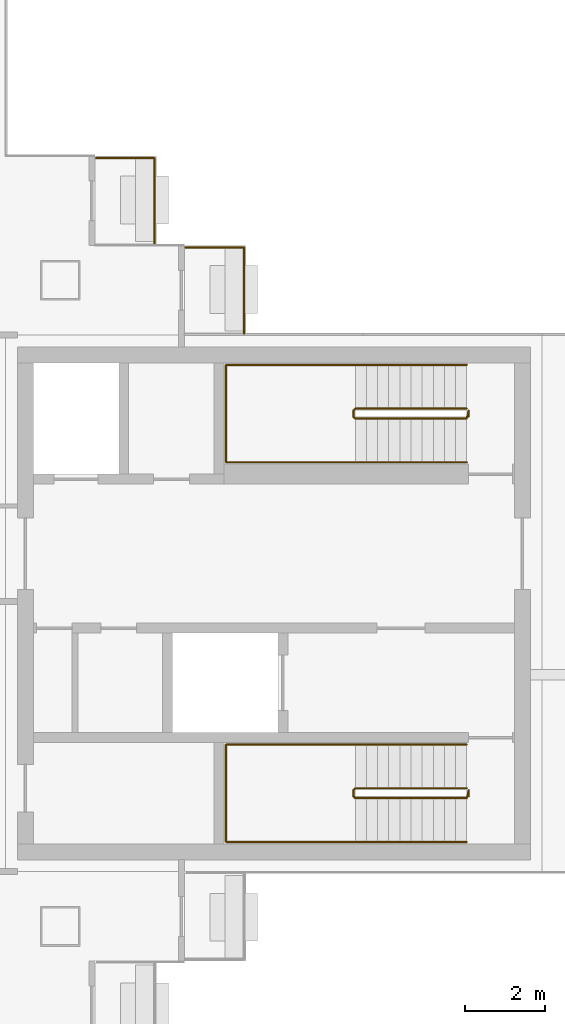
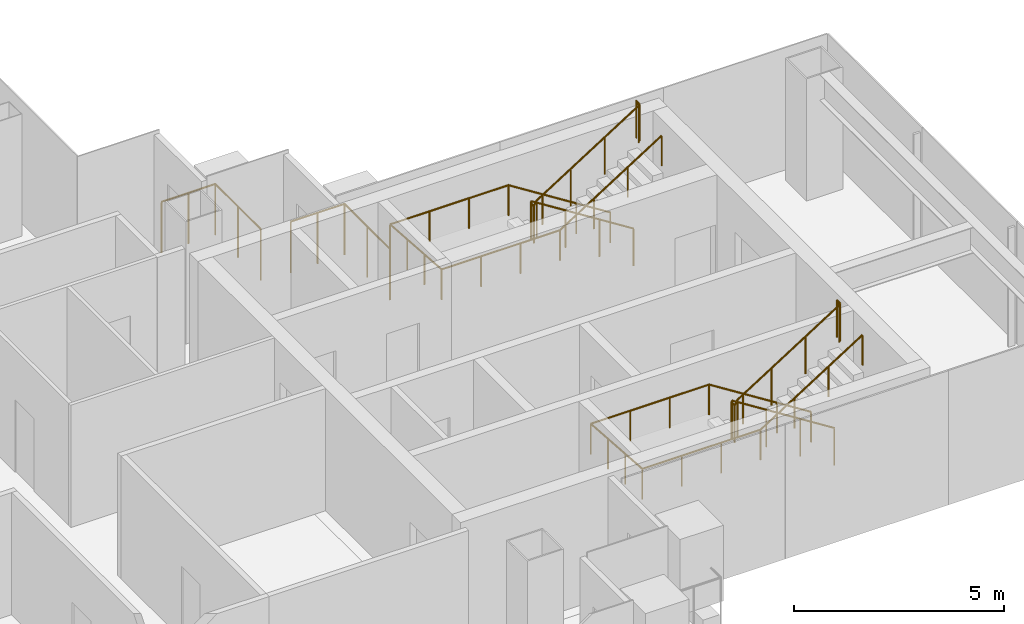
# One storey, part 15 of 16: 6 railings.
"""IFC4 building model written with IfcOpenShell, lengths in metres."""

import ifcopenshell
import ifcopenshell.guid

model = None  # the IFC model being written
_history = None  # IfcOwnerHistory: only IFC2X3 demands one
_inside = {}  # id of a spatial element -> (the spatial element, [elements in it])
_under = {}  # id of a project, library or spatial element -> (it, [spatial elements below it])
_declared = {}  # id of a project -> (the project, [libraries it declares])
_typed = {}  # id of a type object -> (the type object, [elements of that type])
_made_of = {}  # id of a material, layer set ... -> (it, [elements and type objects made of it])


def new_model(schema):
    """Start an empty IFC model of exactly this schema.

    Asked for "IFC4X3", IfcOpenShell would pick the latest addendum, in which some entities
    have other attributes; the version numbers below select the first issue.
    IFC2X3 requires an IfcOwnerHistory on every rooted entity: one is made here for all.
    """
    global model, _history
    if schema == "IFC4X3":
        model = ifcopenshell.file(schema_version=(4, 3, 0, 0))
    else:
        model = ifcopenshell.file(schema=schema)
    _inside.clear()
    _under.clear()
    _declared.clear()
    _typed.clear()
    _made_of.clear()
    _history = None
    if model.schema == "IFC2X3":
        org = make("IfcOrganization", Name="unknown")
        user = make(
            "IfcPersonAndOrganization",
            ThePerson=make("IfcPerson", FamilyName="unknown"),
            TheOrganization=org,
        )
        app = make(
            "IfcApplication",
            ApplicationDeveloper=org,
            Version="unknown",
            ApplicationFullName="unknown",
            ApplicationIdentifier="unknown",
        )
        _history = make(
            "IfcOwnerHistory",
            OwningUser=user,
            OwningApplication=app,
            ChangeAction="ADDED",
            CreationDate=0,
        )
    return model


def make(cls, **values):
    """One entity of the class cls with the attributes given. An attribute that is None is left unset."""
    return model.create_entity(
        cls, **{name: value for name, value in values.items() if value is not None}
    )


def rooted(cls, **values):
    """An entity with a GlobalId (a new one), such as an element, a storey or a relation."""
    return make(cls, GlobalId=ifcopenshell.guid.new(), OwnerHistory=_history, **values)


def si_unit(unit_type, name, prefix=None):
    """IfcSIUnit, for example si_unit("LENGTHUNIT", "METRE", prefix="MILLI")."""
    return make("IfcSIUnit", UnitType=unit_type, Prefix=prefix, Name=name)


def assignment(units):
    """IfcUnitAssignment: the units of a project."""
    return None if units is None else make("IfcUnitAssignment", Units=units)


def point(xyz):
    """IfcCartesianPoint."""
    return None if xyz is None else make("IfcCartesianPoint", Coordinates=xyz)


def direction(xyz):
    """IfcDirection."""
    return None if xyz is None else make("IfcDirection", DirectionRatios=xyz)


def frame(location, z_axis=None, x_axis=None):
    """IfcAxis2Placement3D, a coordinate frame: its origin and axes. An axis left out is left unset."""
    return make(
        "IfcAxis2Placement3D",
        Location=point(location),
        Axis=direction(z_axis),
        RefDirection=direction(x_axis),
    )


def frame_2d(location, x_axis=None):
    """IfcAxis2Placement2D, a coordinate frame in the plane: its origin and x axis."""
    return make(
        "IfcAxis2Placement2D", Location=point(location), RefDirection=direction(x_axis)
    )


def origin():
    """The frame at (0, 0, 0) with its axes left unset."""
    return frame((0.0, 0.0, 0.0))


def origin_2d():
    """The frame at (0, 0) in the plane with its x axis left unset."""
    return frame_2d((0.0, 0.0))


def place(relative_to, where):
    """IfcLocalPlacement: puts the frame where relative to a parent placement (None: the world)."""
    return make(
        "IfcLocalPlacement", PlacementRelTo=relative_to, RelativePlacement=where
    )


def context(
    kind, dimensions, precision=None, world=None, true_north=None, identifier=None
):
    """IfcGeometricRepresentationContext, for example the 3D "Model" context."""
    return make(
        "IfcGeometricRepresentationContext",
        ContextIdentifier=identifier,
        ContextType=kind,
        CoordinateSpaceDimension=dimensions,
        Precision=precision,
        WorldCoordinateSystem=world,
        TrueNorth=true_north,
    )


def subcontext(parent, identifier, kind, view, scale=None):
    """IfcGeometricRepresentationSubContext, for example "Body" below "Model"."""
    return make(
        "IfcGeometricRepresentationSubContext",
        ContextIdentifier=identifier,
        ContextType=kind,
        ParentContext=parent,
        TargetScale=scale,
        TargetView=view,
    )


def project(units=None, contexts=None):
    """IfcProject with its units and contexts."""
    return rooted(
        "IfcProject",
        Name="project",
        RepresentationContexts=contexts,
        UnitsInContext=assignment(units),
    )


def spatial(cls, under=None, at=None, **own):
    """A site, building, storey or space (cls), placed at a placement, below another one or the project."""
    s = rooted(cls, ObjectPlacement=at, **own)
    if under is not None:
        _under.setdefault(under.id(), (under, []))[1].append(s)
    return s


def profile(cls, at=None, kind="AREA", **sizes):
    """A parametric profile (cls). Its sizes go by their IFC names, for example OverallWidth=200.0."""
    return make(cls, ProfileType=kind, Position=at, **sizes)


def circle(**sizes):
    """IfcCircleProfileDef."""
    return profile("IfcCircleProfileDef", **sizes)


def extrude(swept, where, along, depth):
    """IfcExtrudedAreaSolid: the profile swept, set in the frame where, extruded along a direction by depth."""
    return make(
        "IfcExtrudedAreaSolid",
        SweptArea=swept,
        Position=where,
        ExtrudedDirection=direction(along),
        Depth=depth,
    )


def shape(context_of_items, identifier, shape_type, items):
    """IfcShapeRepresentation: the items that make up one representation, for example the "Body"."""
    return make(
        "IfcShapeRepresentation",
        ContextOfItems=context_of_items,
        RepresentationIdentifier=identifier,
        RepresentationType=shape_type,
        Items=items,
    )


def material(Name=None, Category=None):
    """IfcMaterial."""
    return make("IfcMaterial", Name=Name, Category=Category)


def made_of(thing, what):
    """Note that an element or type object is made of a material, layer set ...; save() writes the relation."""
    if what is not None:
        _made_of.setdefault(what.id(), (what, []))[1].append(thing)
    return thing


def type_object(cls, material=None, **own):
    """A type object (cls), such as IfcWallType, which elements share."""
    return made_of(rooted(cls, **own), material)


def element(
    cls,
    number,
    at=None,
    inside=None,
    cuts=None,
    type_object=None,
    material=None,
    context=None,
    identifier="Body",
    shape_type=None,
    held_by="IfcProductDefinitionShape",
    body=None,
    shapes=None,
    **own,
):
    """One element of the class cls, such as IfcWall. Its Tag is "e" and its number.

    at: its placement. inside: the storey or other place that contains it. cuts: it is an
    opening in that element (IfcRelVoidsElement). A single representation is given by context,
    identifier, shape_type and body (its items); several are given by shapes. held_by: the class
    of the entity that holds the representations. save() writes the other relations.
    """
    e = rooted(cls, Tag="e%d" % number, ObjectPlacement=at, **own)
    if body is not None:
        shapes = [shape(context, identifier, shape_type, body)]
    if shapes is not None:
        e.Representation = make(held_by, Representations=shapes)
    if inside is not None:
        _inside.setdefault(inside.id(), (inside, []))[1].append(e)
    if cuts is not None:
        rooted(
            "IfcRelVoidsElement", RelatingBuildingElement=cuts, RelatedOpeningElement=e
        )
    if type_object is not None:
        _typed.setdefault(type_object.id(), (type_object, []))[1].append(e)
    return made_of(e, material)


def aggregate(whole, parts):
    """IfcRelAggregates: a whole, such as a stair, and the parts it consists of."""
    return rooted("IfcRelAggregates", RelatingObject=whole, RelatedObjects=parts)


def save(model, path):
    """Write the relations noted so far, then the file.

    IfcRelAggregates (storeys below a building ...), IfcRelContainedInSpatialStructure (elements
    in a storey), IfcRelDefinesByType, IfcRelAssociatesMaterial and IfcRelDeclares: one each for
    every whole, place, type object, material and project.
    """
    for whole, parts in _under.values():
        aggregate(whole, parts)
    for where, things in _inside.values():
        rooted(
            "IfcRelContainedInSpatialStructure",
            RelatedElements=things,
            RelatingStructure=where,
        )
    for kind, things in _typed.values():
        rooted("IfcRelDefinesByType", RelatedObjects=things, RelatingType=kind)
    for what, things in _made_of.values():
        rooted("IfcRelAssociatesMaterial", RelatedObjects=things, RelatingMaterial=what)
    for by, libraries in _declared.values():
        rooted("IfcRelDeclares", RelatingContext=by, RelatedDefinitions=libraries)
    model.write(path)


model = new_model("IFC4")

# Units and contexts
model_context = context("Model", 3, precision=1e-05, world=origin(), true_north=direction((0.0, 1.0)))
body_context = subcontext(model_context, "Body", "Model", "MODEL_VIEW")
ifc_project = project(units=[si_unit("LENGTHUNIT", "METRE"), si_unit("AREAUNIT", "SQUARE_METRE"), si_unit("VOLUMEUNIT", "CUBIC_METRE"), si_unit("PLANEANGLEUNIT", "RADIAN"), si_unit("MASSUNIT", "GRAM", prefix="KILO")], contexts=[model_context])

# Site, building, storey
site_placement = place(None, origin())
site = spatial("IfcSite", under=ifc_project, at=site_placement, CompositionType="ELEMENT")
building_placement = place(site_placement, origin())
building = spatial("IfcBuilding", under=site, at=building_placement, Name="Shamsa Quay Exchange Towers", CompositionType="ELEMENT")
storey_placement = place(building_placement, frame((0.0, 0.0, 213.89990234375)))
storey = spatial("IfcBuildingStorey", under=building, at=storey_placement, Name="L51", CompositionType="ELEMENT", Elevation=213.89990234375)

# Railings
ifc_material_1 = material(Name="Steel S355, black powder-coated", Category="steel")
railing_type_1 = type_object("IfcRailingType", Name="BALCONY GUARD 1500", PredefinedType="GUARDRAIL", material=ifc_material_1)
for number, where, name in (
    (1, (44.25, 9.0380859375, 0.0), "Balcony guard T2-PKES L51"),
    (2, (46.5, 6.7880859375, 0.0), "Balcony guard T2-PKES L51"),
):
    element("IfcRailing", number, at=place(storey_placement, frame(where)), inside=storey, type_object=railing_type_1, Name=name, PredefinedType="GUARDRAIL", context=body_context, shape_type="SweptSolid", body=[
        extrude(circle(Radius=0.02392578125, at=origin_2d()), frame((0.0, 0.0, 1.47607421875), z_axis=(0.0, 1.0, 0.0), x_axis=(-1.0, 0.0, 0.0)), (0.0, 0.0, 1.0), 2.161865234375),
        extrude(circle(Radius=0.02392578125, at=origin_2d()), frame((0.0, 2.161865234375, 1.47607421875), z_axis=(-1.0, 0.0, 0.0), x_axis=(0.0, -1.0, 0.0)), (0.0, 0.0, 1.0), 1.47900390625),
        extrude(circle(Radius=0.02099609375, at=origin_2d()), origin(), (0.0, 0.0, 1.0), 1.451904296875),
        extrude(circle(Radius=0.02099609375, at=origin_2d()), frame((0.0, 1.0810546875, 0.0)), (0.0, 0.0, 1.0), 1.451904296875),
        extrude(circle(Radius=0.02099609375, at=origin_2d()), frame((0.0, 2.161865234375, 0.0)), (0.0, 0.0, 1.0), 1.451904296875),
        extrude(circle(Radius=0.02099609375, at=origin_2d()), frame((-0.739501953125, 2.161865234375, 0.0)), (0.0, 0.0, 1.0), 1.451904296875),
        extrude(circle(Radius=0.02099609375, at=origin_2d()), frame((-1.47900390625, 2.161865234375, 0.0)), (0.0, 0.0, 1.0), 1.451904296875),
    ])
ifc_material_2 = material(Name="Stainless steel", Category="steel")
railing_type_2 = type_object("IfcRailingType", Name="STAIR GUARD 1100", PredefinedType="GUARDRAIL", material=ifc_material_2)
railing_1_placement = place(storey_placement, frame((52.10009765625, -4.64990234375, 0.177490234375)))
element("IfcRailing", 3, at=railing_1_placement, inside=storey, type_object=railing_type_2, Name="L51 ST5 stair guard 1", PredefinedType="GUARDRAIL", context=body_context, shape_type="SweptSolid", body=[
    extrude(circle(Radius=0.02392578125, at=origin_2d()), frame((0.0, 0.0, 1.076171875), z_axis=(-0.844908973607, 0.0, 0.534910110503), x_axis=(0.0, -1.0, 0.0)), (0.0, 0.0, 1.0), 3.31396484375),
    extrude(circle(Radius=0.02392578125, at=origin_2d()), frame((-2.800048828125, 0.0, 2.8486328125), z_axis=(-0.707106781187, -0.707106781187, 0.0), x_axis=(0.707106781187, -0.707106781187, 0.0)), (0.0, 0.0, 1.0), 0.07080078125),
    extrude(circle(Radius=0.02392578125, at=origin_2d()), frame((-2.85009765625, -0.050048828125, 2.8486328125), z_axis=(0.0, -1.0, 0.0), x_axis=(1.0, 0.0, 0.0)), (0.0, 0.0, 1.0), 0.150146484375),
    extrude(circle(Radius=0.02392578125, at=origin_2d()), frame((-2.85009765625, -0.2001953125, 2.8486328125), z_axis=(0.262321481514, -0.261041864531, 0.929001929653), x_axis=(0.705375805398, 0.708833529934, 0.0)), (0.0, 0.0, 1.0), 0.190673828125),
    extrude(circle(Radius=0.02392578125, at=origin_2d()), frame((-2.800048828125, -0.25, 3.02587890625), z_axis=(0.844908973607, 0.0, 0.534910110503), x_axis=(0.0, 1.0, 0.0)), (0.0, 0.0, 1.0), 3.31396484375),
    extrude(circle(Radius=0.02392578125, at=origin_2d()), frame((0.0, -0.25, 4.798828125), z_axis=(0.241699205484, 0.970351222016, 0.0), x_axis=(-0.970351222016, 0.241699205484, 0.0)), (0.0, 0.0, 1.0), 0.2060546875),
    extrude(circle(Radius=0.02392578125, at=origin_2d()), frame((0.0498046875, -0.050048828125, 4.798828125), z_axis=(0.0, -1.0, 0.0), x_axis=(1.0, 0.0, 0.0)), (0.0, 0.0, 1.0), 0.150146484375),
    extrude(circle(Radius=0.02099609375, at=origin_2d()), origin(), (0.0, 0.0, 1.0), 1.052001953125),
    extrude(circle(Radius=0.02099609375, at=origin_2d()), frame((-0.933349609375, 0.0, 0.5908203125)), (0.0, 0.0, 1.0), 1.052001953125),
    extrude(circle(Radius=0.02099609375, at=origin_2d()), frame((-1.86669921875, 0.0, 1.181884765625)), (0.0, 0.0, 1.0), 1.052001953125),
    extrude(circle(Radius=0.02099609375, at=origin_2d()), frame((-2.800048828125, 0.0, 1.772705078125)), (0.0, 0.0, 1.0), 1.052001953125),
    extrude(circle(Radius=0.02099609375, at=origin_2d()), frame((-2.85009765625, -0.050048828125, 1.772705078125)), (0.0, 0.0, 1.0), 1.052001953125),
    extrude(circle(Radius=0.02099609375, at=origin_2d()), frame((-2.85009765625, -0.2001953125, 1.772705078125)), (0.0, 0.0, 1.0), 1.052001953125),
    extrude(circle(Radius=0.02099609375, at=origin_2d()), frame((-2.800048828125, -0.25, 1.949951171875)), (0.0, 0.0, 1.0), 1.052001953125),
    extrude(circle(Radius=0.02099609375, at=origin_2d()), frame((-1.86669921875, -0.25, 2.540771484375)), (0.0, 0.0, 1.0), 1.052001953125),
    extrude(circle(Radius=0.02099609375, at=origin_2d()), frame((-0.933349609375, -0.25, 3.1318359375)), (0.0, 0.0, 1.0), 1.052001953125),
    extrude(circle(Radius=0.02099609375, at=origin_2d()), frame((0.0, -0.25, 3.72265625)), (0.0, 0.0, 1.0), 1.052001953125),
    extrude(circle(Radius=0.02099609375, at=origin_2d()), frame((0.0498046875, -0.050048828125, 3.72265625)), (0.0, 0.0, 1.0), 1.052001953125),
    extrude(circle(Radius=0.02099609375, at=origin_2d()), frame((0.0498046875, -0.2001953125, 3.72265625)), (0.0, 0.0, 1.0), 1.052001953125),
])
railing_2_placement = place(storey_placement, frame((52.10009765625, 4.89990234375, 0.177490234375)))
element("IfcRailing", 4, at=railing_2_placement, inside=storey, type_object=railing_type_2, Name="L51 ST6 stair guard 1", PredefinedType="GUARDRAIL", context=body_context, shape_type="SweptSolid", body=[
    extrude(circle(Radius=0.02392578125, at=origin_2d()), frame((0.0, 0.0, 1.076171875), z_axis=(-0.844908973607, 0.0, 0.534910110503), x_axis=(0.0, -1.0, 0.0)), (0.0, 0.0, 1.0), 3.31396484375),
    extrude(circle(Radius=0.02392578125, at=origin_2d()), frame((-2.800048828125, 0.0, 2.8486328125), z_axis=(-0.708833529934, -0.705375805398, 0.0), x_axis=(0.705375805398, -0.708833529934, 0.0)), (0.0, 0.0, 1.0), 0.070556640625),
    extrude(circle(Radius=0.02392578125, at=origin_2d()), frame((-2.85009765625, -0.0498046875, 2.8486328125), z_axis=(0.0, -1.0, 0.0), x_axis=(1.0, 0.0, 0.0)), (0.0, 0.0, 1.0), 0.150146484375),
    extrude(circle(Radius=0.02392578125, at=origin_2d()), frame((-2.85009765625, -0.199951171875, 2.8486328125), z_axis=(0.262233686654, -0.262233686654, 0.928691007369), x_axis=(0.707106781187, 0.707106781187, 0.0)), (0.0, 0.0, 1.0), 0.19091796875),
    extrude(circle(Radius=0.02392578125, at=origin_2d()), frame((-2.800048828125, -0.25, 3.02587890625), z_axis=(0.844908973607, 0.0, 0.534910110503), x_axis=(0.0, 1.0, 0.0)), (0.0, 0.0, 1.0), 3.31396484375),
    extrude(circle(Radius=0.02392578125, at=origin_2d()), frame((0.0, -0.25, 4.798828125), z_axis=(0.24142163986, 0.970420317083, 0.0), x_axis=(-0.970420317083, 0.24142163986, 0.0)), (0.0, 0.0, 1.0), 0.206298828125),
    extrude(circle(Radius=0.02392578125, at=origin_2d()), frame((0.0498046875, -0.0498046875, 4.798828125), z_axis=(0.0, -1.0, 0.0), x_axis=(1.0, 0.0, 0.0)), (0.0, 0.0, 1.0), 0.150146484375),
    extrude(circle(Radius=0.02099609375, at=origin_2d()), origin(), (0.0, 0.0, 1.0), 1.052001953125),
    extrude(circle(Radius=0.02099609375, at=origin_2d()), frame((-0.933349609375, 0.0, 0.5908203125)), (0.0, 0.0, 1.0), 1.052001953125),
    extrude(circle(Radius=0.02099609375, at=origin_2d()), frame((-1.86669921875, 0.0, 1.181884765625)), (0.0, 0.0, 1.0), 1.052001953125),
    extrude(circle(Radius=0.02099609375, at=origin_2d()), frame((-2.800048828125, 0.0, 1.772705078125)), (0.0, 0.0, 1.0), 1.052001953125),
    extrude(circle(Radius=0.02099609375, at=origin_2d()), frame((-2.85009765625, -0.0498046875, 1.772705078125)), (0.0, 0.0, 1.0), 1.052001953125),
    extrude(circle(Radius=0.02099609375, at=origin_2d()), frame((-2.85009765625, -0.199951171875, 1.772705078125)), (0.0, 0.0, 1.0), 1.052001953125),
    extrude(circle(Radius=0.02099609375, at=origin_2d()), frame((-2.800048828125, -0.25, 1.949951171875)), (0.0, 0.0, 1.0), 1.052001953125),
    extrude(circle(Radius=0.02099609375, at=origin_2d()), frame((-1.86669921875, -0.25, 2.540771484375)), (0.0, 0.0, 1.0), 1.052001953125),
    extrude(circle(Radius=0.02099609375, at=origin_2d()), frame((-0.933349609375, -0.25, 3.1318359375)), (0.0, 0.0, 1.0), 1.052001953125),
    extrude(circle(Radius=0.02099609375, at=origin_2d()), frame((0.0, -0.25, 3.72265625)), (0.0, 0.0, 1.0), 1.052001953125),
    extrude(circle(Radius=0.02099609375, at=origin_2d()), frame((0.0498046875, -0.0498046875, 3.72265625)), (0.0, 0.0, 1.0), 1.052001953125),
    extrude(circle(Radius=0.02099609375, at=origin_2d()), frame((0.0498046875, -0.199951171875, 3.72265625)), (0.0, 0.0, 1.0), 1.052001953125),
])
railing_type_3 = type_object("IfcRailingType", Name="STAIR HANDRAIL 900", PredefinedType="HANDRAIL", material=ifc_material_2)
railing_3_placement = place(storey_placement, frame((52.10009765625, -3.550048828125, 0.177490234375)))
element("IfcRailing", 5, at=railing_3_placement, inside=storey, type_object=railing_type_3, Name="L51 ST5 stair handrail 1", PredefinedType="HANDRAIL", context=body_context, shape_type="SweptSolid", body=[
    extrude(circle(Radius=0.02392578125, at=origin_2d()), frame((0.0, 0.0, 0.8759765625), z_axis=(-0.844908973607, 0.0, 0.534910110503), x_axis=(0.0, -1.0, 0.0)), (0.0, 0.0, 1.0), 3.31396484375),
    extrude(circle(Radius=0.02392578125, at=origin_2d()), frame((-2.800048828125, 0.0, 2.6484375), z_axis=(-1.0, 0.0, 0.0), x_axis=(0.0, -1.0, 0.0)), (0.0, 0.0, 1.0), 3.25),
    extrude(circle(Radius=0.02392578125, at=origin_2d()), frame((-6.050048828125, 0.0, 2.6484375), z_axis=(0.0, -0.997393199914, 0.07215819264), x_axis=(1.0, 0.0, 0.0)), (0.0, 0.0, 1.0), 2.456298828125),
    extrude(circle(Radius=0.02392578125, at=origin_2d()), frame((-6.050048828125, -2.449951171875, 2.82568359375), z_axis=(1.0, 0.0, 0.0), x_axis=(0.0, 1.0, 0.0)), (0.0, 0.0, 1.0), 3.25),
    extrude(circle(Radius=0.02392578125, at=origin_2d()), frame((-2.800048828125, -2.449951171875, 2.82568359375), z_axis=(0.844908973607, 0.0, 0.534910110503), x_axis=(0.0, 1.0, 0.0)), (0.0, 0.0, 1.0), 3.31396484375),
    extrude(circle(Radius=0.02099609375, at=origin_2d()), origin(), (0.0, 0.0, 1.0), 0.851806640625),
    extrude(circle(Radius=0.02099609375, at=origin_2d()), frame((-0.933349609375, 0.0, 0.5908203125)), (0.0, 0.0, 1.0), 0.851806640625),
    extrude(circle(Radius=0.02099609375, at=origin_2d()), frame((-1.86669921875, 0.0, 1.181884765625)), (0.0, 0.0, 1.0), 0.851806640625),
    extrude(circle(Radius=0.02099609375, at=origin_2d()), frame((-2.800048828125, 0.0, 1.772705078125)), (0.0, 0.0, 1.0), 0.851806640625),
    extrude(circle(Radius=0.02099609375, at=origin_2d()), frame((-3.88330078125, 0.0, 1.772705078125)), (0.0, 0.0, 1.0), 0.851806640625),
    extrude(circle(Radius=0.02099609375, at=origin_2d()), frame((-4.966796875, 0.0, 1.772705078125)), (0.0, 0.0, 1.0), 0.851806640625),
    extrude(circle(Radius=0.02099609375, at=origin_2d()), frame((-6.050048828125, 0.0, 1.772705078125)), (0.0, 0.0, 1.0), 0.851806640625),
    extrude(circle(Radius=0.02099609375, at=origin_2d()), frame((-6.050048828125, -0.816650390625, 1.831787109375)), (0.0, 0.0, 1.0), 0.851806640625),
    extrude(circle(Radius=0.02099609375, at=origin_2d()), frame((-6.050048828125, -1.63330078125, 1.890869140625)), (0.0, 0.0, 1.0), 0.851806640625),
    extrude(circle(Radius=0.02099609375, at=origin_2d()), frame((-6.050048828125, -2.449951171875, 1.949951171875)), (0.0, 0.0, 1.0), 0.851806640625),
    extrude(circle(Radius=0.02099609375, at=origin_2d()), frame((-4.966796875, -2.449951171875, 1.949951171875)), (0.0, 0.0, 1.0), 0.851806640625),
    extrude(circle(Radius=0.02099609375, at=origin_2d()), frame((-3.88330078125, -2.449951171875, 1.949951171875)), (0.0, 0.0, 1.0), 0.851806640625),
    extrude(circle(Radius=0.02099609375, at=origin_2d()), frame((-2.800048828125, -2.449951171875, 1.949951171875)), (0.0, 0.0, 1.0), 0.851806640625),
    extrude(circle(Radius=0.02099609375, at=origin_2d()), frame((-1.86669921875, -2.449951171875, 2.540771484375)), (0.0, 0.0, 1.0), 0.851806640625),
    extrude(circle(Radius=0.02099609375, at=origin_2d()), frame((-0.933349609375, -2.449951171875, 3.1318359375)), (0.0, 0.0, 1.0), 0.851806640625),
    extrude(circle(Radius=0.02099609375, at=origin_2d()), frame((0.0, -2.449951171875, 3.72265625)), (0.0, 0.0, 1.0), 0.851806640625),
])
railing_4_placement = place(storey_placement, frame((52.10009765625, 6.0, 0.177490234375)))
element("IfcRailing", 6, at=railing_4_placement, inside=storey, type_object=railing_type_3, Name="L51 ST6 stair handrail 1", PredefinedType="HANDRAIL", context=body_context, shape_type="SweptSolid", body=[
    extrude(circle(Radius=0.02392578125, at=origin_2d()), frame((0.0, 0.0, 0.8759765625), z_axis=(-0.844908973607, 0.0, 0.534910110503), x_axis=(0.0, -1.0, 0.0)), (0.0, 0.0, 1.0), 3.31396484375),
    extrude(circle(Radius=0.02392578125, at=origin_2d()), frame((-2.800048828125, 0.0, 2.6484375), z_axis=(-1.0, 0.0, 0.0), x_axis=(0.0, -1.0, 0.0)), (0.0, 0.0, 1.0), 3.25),
    extrude(circle(Radius=0.02392578125, at=origin_2d()), frame((-6.050048828125, 0.0, 2.6484375), z_axis=(0.0, -0.997393199914, 0.07215819264), x_axis=(1.0, 0.0, 0.0)), (0.0, 0.0, 1.0), 2.456298828125),
    extrude(circle(Radius=0.02392578125, at=origin_2d()), frame((-6.050048828125, -2.449951171875, 2.82568359375), z_axis=(1.0, 0.0, 0.0), x_axis=(0.0, 1.0, 0.0)), (0.0, 0.0, 1.0), 3.25),
    extrude(circle(Radius=0.02392578125, at=origin_2d()), frame((-2.800048828125, -2.449951171875, 2.82568359375), z_axis=(0.844908973607, 0.0, 0.534910110503), x_axis=(0.0, 1.0, 0.0)), (0.0, 0.0, 1.0), 3.31396484375),
    extrude(circle(Radius=0.02099609375, at=origin_2d()), origin(), (0.0, 0.0, 1.0), 0.851806640625),
    extrude(circle(Radius=0.02099609375, at=origin_2d()), frame((-0.933349609375, 0.0, 0.5908203125)), (0.0, 0.0, 1.0), 0.851806640625),
    extrude(circle(Radius=0.02099609375, at=origin_2d()), frame((-1.86669921875, 0.0, 1.181884765625)), (0.0, 0.0, 1.0), 0.851806640625),
    extrude(circle(Radius=0.02099609375, at=origin_2d()), frame((-2.800048828125, 0.0, 1.772705078125)), (0.0, 0.0, 1.0), 0.851806640625),
    extrude(circle(Radius=0.02099609375, at=origin_2d()), frame((-3.88330078125, 0.0, 1.772705078125)), (0.0, 0.0, 1.0), 0.851806640625),
    extrude(circle(Radius=0.02099609375, at=origin_2d()), frame((-4.966796875, 0.0, 1.772705078125)), (0.0, 0.0, 1.0), 0.851806640625),
    extrude(circle(Radius=0.02099609375, at=origin_2d()), frame((-6.050048828125, 0.0, 1.772705078125)), (0.0, 0.0, 1.0), 0.851806640625),
    extrude(circle(Radius=0.02099609375, at=origin_2d()), frame((-6.050048828125, -0.816650390625, 1.831787109375)), (0.0, 0.0, 1.0), 0.851806640625),
    extrude(circle(Radius=0.02099609375, at=origin_2d()), frame((-6.050048828125, -1.63330078125, 1.890869140625)), (0.0, 0.0, 1.0), 0.851806640625),
    extrude(circle(Radius=0.02099609375, at=origin_2d()), frame((-6.050048828125, -2.449951171875, 1.949951171875)), (0.0, 0.0, 1.0), 0.851806640625),
    extrude(circle(Radius=0.02099609375, at=origin_2d()), frame((-4.966796875, -2.449951171875, 1.949951171875)), (0.0, 0.0, 1.0), 0.851806640625),
    extrude(circle(Radius=0.02099609375, at=origin_2d()), frame((-3.88330078125, -2.449951171875, 1.949951171875)), (0.0, 0.0, 1.0), 0.851806640625),
    extrude(circle(Radius=0.02099609375, at=origin_2d()), frame((-2.800048828125, -2.449951171875, 1.949951171875)), (0.0, 0.0, 1.0), 0.851806640625),
    extrude(circle(Radius=0.02099609375, at=origin_2d()), frame((-1.86669921875, -2.449951171875, 2.540771484375)), (0.0, 0.0, 1.0), 0.851806640625),
    extrude(circle(Radius=0.02099609375, at=origin_2d()), frame((-0.933349609375, -2.449951171875, 3.1318359375)), (0.0, 0.0, 1.0), 0.851806640625),
    extrude(circle(Radius=0.02099609375, at=origin_2d()), frame((0.0, -2.449951171875, 3.72265625)), (0.0, 0.0, 1.0), 0.851806640625),
])

save(model, "model.ifc")
